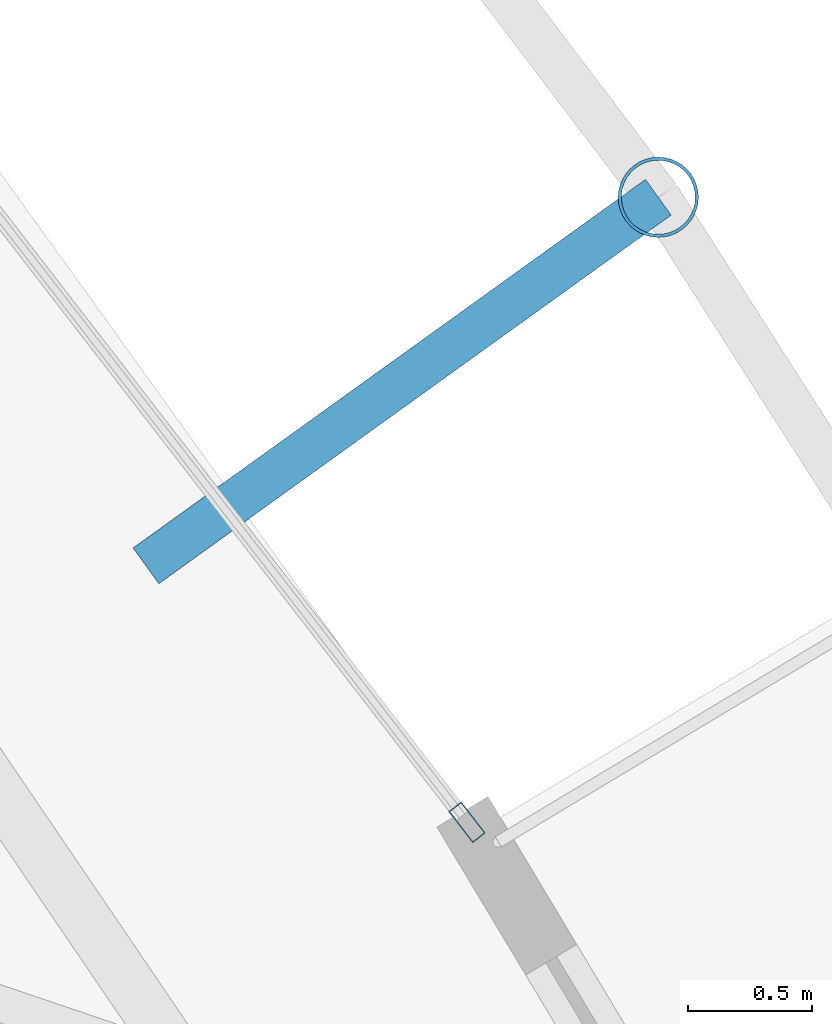
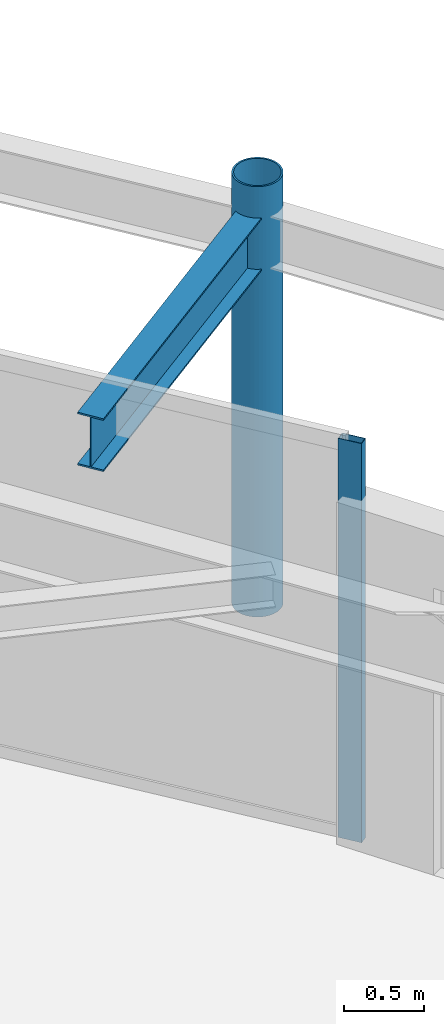
# One storey, part 19 of 28: 2 members, 1 beam, 1 element without a shape of its own.
"""IFC4 building model written with IfcOpenShell, lengths in metres."""

from ifc_helpers import new_model, si_unit, direction, frame, origin, origin_2d, place, context, subcontext, project, spatial, hollow_rectangle, hollow_circle, i_section, extrude, material, layer, layer_set, material_profile, profile_set, type_object, element, aggregate, save


model = new_model("IFC4")

# Units and contexts
model_context = context("Model", 3, precision=1e-05, world=origin(), true_north=direction((0.0, 1.0)))
body_context = subcontext(model_context, "Body", "Model", "MODEL_VIEW")
ifc_project = project(units=[si_unit("LENGTHUNIT", "METRE"), si_unit("AREAUNIT", "SQUARE_METRE"), si_unit("VOLUMEUNIT", "CUBIC_METRE"), si_unit("PLANEANGLEUNIT", "RADIAN"), si_unit("MASSUNIT", "GRAM", prefix="KILO")], contexts=[model_context])

# Site, building, storey
site_placement = place(None, origin())
site = spatial("IfcSite", under=ifc_project, at=site_placement, CompositionType="ELEMENT")
building_placement = place(site_placement, origin())
building = spatial("IfcBuilding", under=site, at=building_placement, Name="Orvanel Arch Residences", CompositionType="ELEMENT")
storey_placement = place(building_placement, frame((0.0, 0.0, 260.14990234375)))
storey = spatial("IfcBuildingStorey", under=building, at=storey_placement, Name="L74", CompositionType="ELEMENT", Elevation=260.14990234375)

# Curtain wall, member
ifc_material_1 = material(Name="Bronze-anodised aluminium AA6063-T6", Category="aluminium")
ifc_layer = layer(ifc_material_1, 0.175048828125)
ifc_layer_set = layer_set([ifc_layer], Name="Bronze-anodised aluminium AA6063-T6")
curtain_wall_type = type_object("IfcCurtainWallType", Name="CW4-HI-SYS", PredefinedType="NOTDEFINED", material=ifc_layer_set)
curtain_wall_placement = place(storey_placement, origin())
curtain_wall = element("IfcCurtainWall", 1, at=curtain_wall_placement, inside=storey, type_object=curtain_wall_type, Name="L74 CW4-HI-SYS Unitised Curtain Wall", PredefinedType="NOTDEFINED")
ifc_material_profile_1 = material_profile(ifc_material_1, hollow_rectangle(XDim=0.06494140625, YDim=0.159912109375, WallThickness=0.00390625, at=origin_2d()), Name="ALU160x65x4")
ifc_profile_set_1 = profile_set([ifc_material_profile_1], Name="Bronze-anodised aluminium AA6063-T6")
member_type_1 = type_object("IfcMemberType", Name="MUL-160x65", PredefinedType="MULLION", material=ifc_profile_set_1)
member_1_placement = place(storey_placement, frame((44.030029296875, 32.36279296875, 0.0), z_axis=(0.0, 0.0, 1.0), x_axis=(-0.791176992709, -0.611587251509, 0.0)))
member_1 = element("IfcMember", 2, at=member_1_placement, type_object=member_type_1, Name="CW-S4 mullion 1", PredefinedType="MULLION", context=body_context, shape_type="SweptSolid", body=[
    extrude(hollow_rectangle(XDim=0.06494140625, YDim=0.159912109375, WallThickness=0.00390625, at=origin_2d()), origin(), (0.0, 0.0, 1.0), 3.06005859375),
])
aggregate(curtain_wall, [member_1])

# Beam
ifc_material_2 = material(Name="Structural steel AS/NZS 3679.1 Grade 300 (300 MPa)", Category="steel")
ifc_material_profile_2 = material_profile(ifc_material_2, i_section(OverallWidth=0.177978515625, OverallDepth=0.406005859375, WebThickness=0.0078125, FlangeThickness=0.0126953125, at=origin_2d()), Name="410UB59.7")
ifc_profile_set_2 = profile_set([ifc_material_profile_2], Name="Structural steel AS/NZS 3679.1 Grade 300 (300 MPa)")
beam_type = type_object("IfcBeamType", Name="OB-410UB-EXT", PredefinedType="SPANDREL", material=ifc_profile_set_2)
beam_placement = place(storey_placement, frame((42.73291015625, 33.39892578125, 2.857177734375), z_axis=(0.811801205994, 0.583933902035, 0.0), x_axis=(-0.583933902035, 0.811801205994, 0.0)))
element("IfcBeam", 3, at=beam_placement, inside=storey, type_object=beam_type, Name="L74 Outer Frame Radial Tie Beam 11", PredefinedType="SPANDREL", context=body_context, shape_type="SweptSolid", body=[
    extrude(i_section(OverallWidth=0.177978515625, OverallDepth=0.406005859375, WebThickness=0.0078125, FlangeThickness=0.0126953125, at=origin_2d()), origin(), (0.0, 0.0, 1.0), 2.550048828125),
])

# Member
ifc_material_3 = material(Name="Structural steel AS/NZS 1163 C350L0 (Grade 350)", Category="steel")
ifc_material_profile_3 = material_profile(ifc_material_3, hollow_circle(Radius=0.162109375, WallThickness=0.0126953125, at=origin_2d()), Name="CHS324x12.7")
ifc_profile_set_3 = profile_set([ifc_material_profile_3], Name="Structural steel AS/NZS 1163 C350L0 (Grade 350)")
member_type_2 = type_object("IfcMemberType", Name="ST-324CHS-EXT", PredefinedType="STRUT", material=ifc_profile_set_3)
member_2_placement = place(storey_placement, frame((44.802978515625, 34.887939453125, 0.0), z_axis=(0.0, 0.0, 1.0), x_axis=(1.0, 0.0, 0.0)))
element("IfcMember", 4, at=member_2_placement, inside=storey, type_object=member_type_2, Name="L74 Outer Perimeter Frame Post 11", PredefinedType="STRUT", context=body_context, shape_type="SweptSolid", body=[
    extrude(hollow_circle(Radius=0.162109375, WallThickness=0.0126953125, at=origin_2d()), origin(), (0.0, 0.0, 1.0), 3.300048828125),
])

save(model, "model.ifc")
